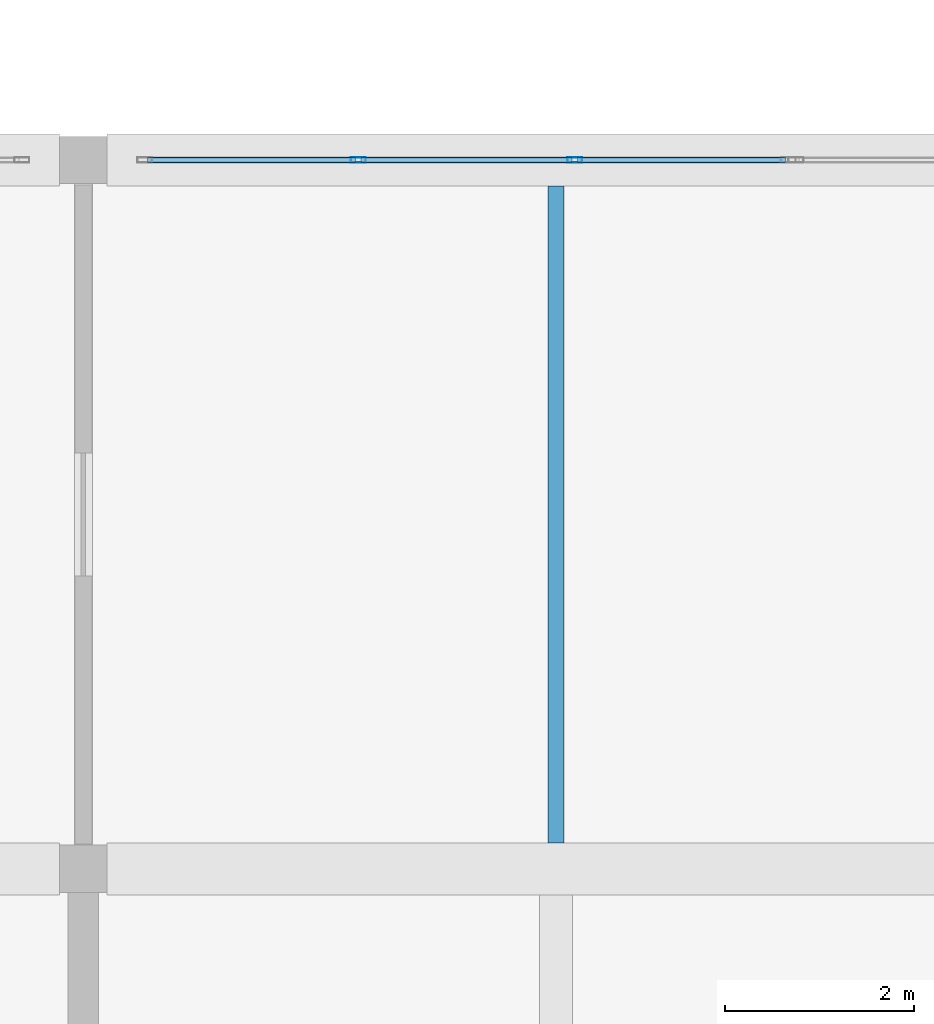
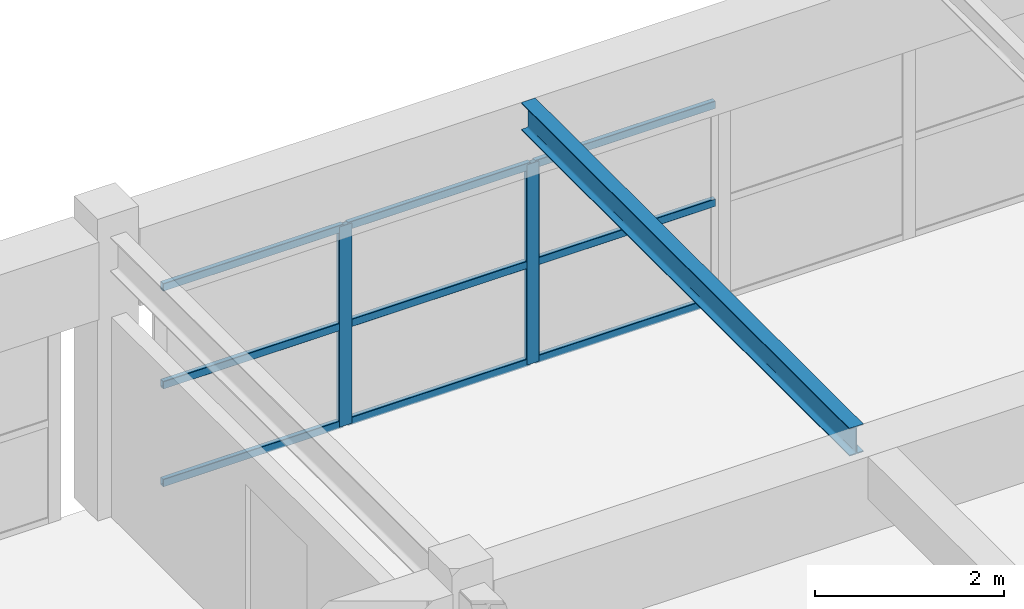
# One storey, part 19 of 82: 11 members, 1 beam, 1 element without a shape of its own.
"""IFC4 building model written with IfcOpenShell, lengths in metres."""

from ifc_helpers import new_model, si_unit, direction, frame, origin, origin_2d, place, context, subcontext, project, spatial, hollow_rectangle, i_section, extrude, material, material_profile, profile_set, type_object, element, aggregate, save


model = new_model("IFC4")

# Units and contexts
model_context = context("Model", 3, precision=1e-05, world=origin(), true_north=direction((0.0, 1.0)))
body_context = subcontext(model_context, "Body", "Model", "MODEL_VIEW")
ifc_project = project(units=[si_unit("LENGTHUNIT", "METRE"), si_unit("AREAUNIT", "SQUARE_METRE"), si_unit("VOLUMEUNIT", "CUBIC_METRE"), si_unit("PLANEANGLEUNIT", "RADIAN"), si_unit("MASSUNIT", "GRAM", prefix="KILO")], contexts=[model_context])

# Site, building, storey
site_placement = place(None, origin())
site = spatial("IfcSite", under=ifc_project, at=site_placement, CompositionType="ELEMENT")
building_placement = place(site_placement, origin())
building = spatial("IfcBuilding", under=site, at=building_placement, Name="Qasida Concert Hall", CompositionType="ELEMENT")
storey_placement = place(building_placement, frame((0.0, 0.0, 17.10009765625)))
storey = spatial("IfcBuildingStorey", under=building, at=storey_placement, Name="L04", CompositionType="ELEMENT", Elevation=17.10009765625)

# Beam
ifc_material_1 = material(Name="Steel S355J2", Category="steel")
ifc_material_profile_1 = material_profile(ifc_material_1, i_section(OverallWidth=0.169921875, OverallDepth=0.360107421875, WebThickness=0.008056640625, FlangeThickness=0.0126953125, FilletRadius=0.01806640625, at=origin_2d()), Name="IPE 360")
ifc_profile_set_1 = profile_set([ifc_material_profile_1], Name="Steel S355J2")
beam_type = type_object("IfcBeamType", Name="BM-J2", PredefinedType="JOIST", material=ifc_profile_set_1)
beam_placement = place(storey_placement, frame((20.0, 45.27490234375, 3.43994140625), z_axis=(0.0, 1.0, 0.0), x_axis=(-1.0, 0.0, 0.0)))
element("IfcBeam", 1, at=beam_placement, inside=storey, type_object=beam_type, Name="L04 secondary joist 1929", PredefinedType="JOIST", context=body_context, shape_type="SweptSolid", body=[
    extrude(i_section(OverallWidth=0.169921875, OverallDepth=0.360107421875, WebThickness=0.008056640625, FlangeThickness=0.0126953125, FilletRadius=0.01806640625, at=origin_2d()), origin(), (0.0, 0.0, 1.0), 6.9501953125),
])

# Curtain wall, members
ifc_material_2 = material(Name="Architectural bronze-anodized aluminium and low-E glass", Category="aluminium")
curtain_wall_type = type_object("IfcCurtainWallType", Name="CW-12", PredefinedType="NOTDEFINED", material=ifc_material_2)
curtain_wall_placement = place(storey_placement, origin())
curtain_wall = element("IfcCurtainWall", 2, at=curtain_wall_placement, inside=storey, type_object=curtain_wall_type, Name="L04 curtain wall CW-12 0134", PredefinedType="NOTDEFINED")
ifc_material_3 = material(Name="Architectural bronze-anodized aluminium EN AW-6063", Category="aluminium")
ifc_material_profile_2 = material_profile(ifc_material_3, hollow_rectangle(XDim=0.06005859375, YDim=0.159912109375, WallThickness=0.00390625, InnerFilletRadius=0.00390625, OuterFilletRadius=0.008056640625, at=origin_2d()), Name="CWM 160x60x4")
ifc_profile_set_2 = profile_set([ifc_material_profile_2], Name="Architectural bronze-anodized aluminium EN AW-6063")
member_type_1 = type_object("IfcMemberType", Name="MB-CWM-3", PredefinedType="MULLION", material=ifc_profile_set_2)
member_1_placement = place(storey_placement, frame((17.909912109375, 52.5, 0.0), z_axis=(0.0, 0.0, 1.0), x_axis=(0.0, 1.0, 0.0)))
member_1 = element("IfcMember", 3, at=member_1_placement, type_object=member_type_1, Name="CW-12 mullion 2", PredefinedType="MULLION", context=body_context, shape_type="SweptSolid", body=[
    extrude(hollow_rectangle(XDim=0.06005859375, YDim=0.159912109375, WallThickness=0.00390625, InnerFilletRadius=0.00390625, OuterFilletRadius=0.008056640625, at=origin_2d()), origin(), (0.0, 0.0, 1.0), 2.58984375),
])
member_2_placement = place(storey_placement, frame((20.199951171875, 52.5, 0.0), z_axis=(0.0, 0.0, 1.0), x_axis=(0.0, 1.0, 0.0)))
member_2 = element("IfcMember", 4, at=member_2_placement, type_object=member_type_1, Name="CW-12 mullion 3", PredefinedType="MULLION", context=body_context, shape_type="SweptSolid", body=[
    extrude(hollow_rectangle(XDim=0.06005859375, YDim=0.159912109375, WallThickness=0.00390625, InnerFilletRadius=0.00390625, OuterFilletRadius=0.008056640625, at=origin_2d()), origin(), (0.0, 0.0, 1.0), 2.58984375),
])
ifc_material_profile_3 = material_profile(ifc_material_3, hollow_rectangle(XDim=0.06005859375, YDim=0.10009765625, WallThickness=0.00341796875, InnerFilletRadius=0.00341796875, OuterFilletRadius=0.007080078125, at=origin_2d()), Name="CWT 100x60x3.5")
ifc_profile_set_3 = profile_set([ifc_material_profile_3], Name="Architectural bronze-anodized aluminium EN AW-6063")
member_type_2 = type_object("IfcMemberType", Name="MB-CWT-3", PredefinedType="USERDEFINED", material=ifc_profile_set_3)
member_3_placement = place(storey_placement, frame((15.679931640625, 52.5, 0.02978515625), z_axis=(1.0, 0.0, 0.0), x_axis=(0.0, 1.0, 0.0)))
member_3 = element("IfcMember", 5, at=member_3_placement, type_object=member_type_2, Name="CW-12 transom 1.1", ObjectType="TRANSOM", PredefinedType="USERDEFINED", context=body_context, shape_type="SweptSolid", body=[
    extrude(hollow_rectangle(XDim=0.06005859375, YDim=0.10009765625, WallThickness=0.00341796875, InnerFilletRadius=0.00341796875, OuterFilletRadius=0.007080078125, at=origin_2d()), origin(), (0.0, 0.0, 1.0), 2.199951171875),
])
member_4_placement = place(storey_placement, frame((15.679931640625, 52.5, 1.294921875), z_axis=(1.0, 0.0, 0.0), x_axis=(0.0, 1.0, 0.0)))
member_4 = element("IfcMember", 6, at=member_4_placement, type_object=member_type_2, Name="CW-12 transom 1.2", ObjectType="TRANSOM", PredefinedType="USERDEFINED", context=body_context, shape_type="SweptSolid", body=[
    extrude(hollow_rectangle(XDim=0.06005859375, YDim=0.10009765625, WallThickness=0.00341796875, InnerFilletRadius=0.00341796875, OuterFilletRadius=0.007080078125, at=origin_2d()), origin(), (0.0, 0.0, 1.0), 2.199951171875),
])
member_5_placement = place(storey_placement, frame((15.679931640625, 52.5, 2.559814453125), z_axis=(1.0, 0.0, 0.0), x_axis=(0.0, 1.0, 0.0)))
member_5 = element("IfcMember", 7, at=member_5_placement, type_object=member_type_2, Name="CW-12 transom 1.3", ObjectType="TRANSOM", PredefinedType="USERDEFINED", context=body_context, shape_type="SweptSolid", body=[
    extrude(hollow_rectangle(XDim=0.06005859375, YDim=0.10009765625, WallThickness=0.00341796875, InnerFilletRadius=0.00341796875, OuterFilletRadius=0.007080078125, at=origin_2d()), origin(), (0.0, 0.0, 1.0), 2.199951171875),
])
member_6_placement = place(storey_placement, frame((17.93994140625, 52.5, 0.02978515625), z_axis=(1.0, 0.0, 0.0), x_axis=(0.0, 1.0, 0.0)))
member_6 = element("IfcMember", 8, at=member_6_placement, type_object=member_type_2, Name="CW-12 transom 2.1", ObjectType="TRANSOM", PredefinedType="USERDEFINED", context=body_context, shape_type="SweptSolid", body=[
    extrude(hollow_rectangle(XDim=0.06005859375, YDim=0.10009765625, WallThickness=0.00341796875, InnerFilletRadius=0.00341796875, OuterFilletRadius=0.007080078125, at=origin_2d()), origin(), (0.0, 0.0, 1.0), 2.22998046875),
])
member_7_placement = place(storey_placement, frame((17.93994140625, 52.5, 1.294921875), z_axis=(1.0, 0.0, 0.0), x_axis=(0.0, 1.0, 0.0)))
member_7 = element("IfcMember", 9, at=member_7_placement, type_object=member_type_2, Name="CW-12 transom 2.2", ObjectType="TRANSOM", PredefinedType="USERDEFINED", context=body_context, shape_type="SweptSolid", body=[
    extrude(hollow_rectangle(XDim=0.06005859375, YDim=0.10009765625, WallThickness=0.00341796875, InnerFilletRadius=0.00341796875, OuterFilletRadius=0.007080078125, at=origin_2d()), origin(), (0.0, 0.0, 1.0), 2.22998046875),
])
member_8_placement = place(storey_placement, frame((17.93994140625, 52.5, 2.559814453125), z_axis=(1.0, 0.0, 0.0), x_axis=(0.0, 1.0, 0.0)))
member_8 = element("IfcMember", 10, at=member_8_placement, type_object=member_type_2, Name="CW-12 transom 2.3", ObjectType="TRANSOM", PredefinedType="USERDEFINED", context=body_context, shape_type="SweptSolid", body=[
    extrude(hollow_rectangle(XDim=0.06005859375, YDim=0.10009765625, WallThickness=0.00341796875, InnerFilletRadius=0.00341796875, OuterFilletRadius=0.007080078125, at=origin_2d()), origin(), (0.0, 0.0, 1.0), 2.22998046875),
])
member_9_placement = place(storey_placement, frame((20.22998046875, 52.5, 0.02978515625), z_axis=(1.0, 0.0, 0.0), x_axis=(0.0, 1.0, 0.0)))
member_9 = element("IfcMember", 11, at=member_9_placement, type_object=member_type_2, Name="CW-12 transom 3.1", ObjectType="TRANSOM", PredefinedType="USERDEFINED", context=body_context, shape_type="SweptSolid", body=[
    extrude(hollow_rectangle(XDim=0.06005859375, YDim=0.10009765625, WallThickness=0.00341796875, InnerFilletRadius=0.00341796875, OuterFilletRadius=0.007080078125, at=origin_2d()), origin(), (0.0, 0.0, 1.0), 2.199951171875),
])
member_10_placement = place(storey_placement, frame((20.22998046875, 52.5, 1.294921875), z_axis=(1.0, 0.0, 0.0), x_axis=(0.0, 1.0, 0.0)))
member_10 = element("IfcMember", 12, at=member_10_placement, type_object=member_type_2, Name="CW-12 transom 3.2", ObjectType="TRANSOM", PredefinedType="USERDEFINED", context=body_context, shape_type="SweptSolid", body=[
    extrude(hollow_rectangle(XDim=0.06005859375, YDim=0.10009765625, WallThickness=0.00341796875, InnerFilletRadius=0.00341796875, OuterFilletRadius=0.007080078125, at=origin_2d()), origin(), (0.0, 0.0, 1.0), 2.199951171875),
])
member_11_placement = place(storey_placement, frame((20.22998046875, 52.5, 2.559814453125), z_axis=(1.0, 0.0, 0.0), x_axis=(0.0, 1.0, 0.0)))
member_11 = element("IfcMember", 13, at=member_11_placement, type_object=member_type_2, Name="CW-12 transom 3.3", ObjectType="TRANSOM", PredefinedType="USERDEFINED", context=body_context, shape_type="SweptSolid", body=[
    extrude(hollow_rectangle(XDim=0.06005859375, YDim=0.10009765625, WallThickness=0.00341796875, InnerFilletRadius=0.00341796875, OuterFilletRadius=0.007080078125, at=origin_2d()), origin(), (0.0, 0.0, 1.0), 2.199951171875),
])
aggregate(curtain_wall, [member_1, member_2, member_3, member_4, member_5, member_6, member_7, member_8, member_9, member_10, member_11])

save(model, "model.ifc")
